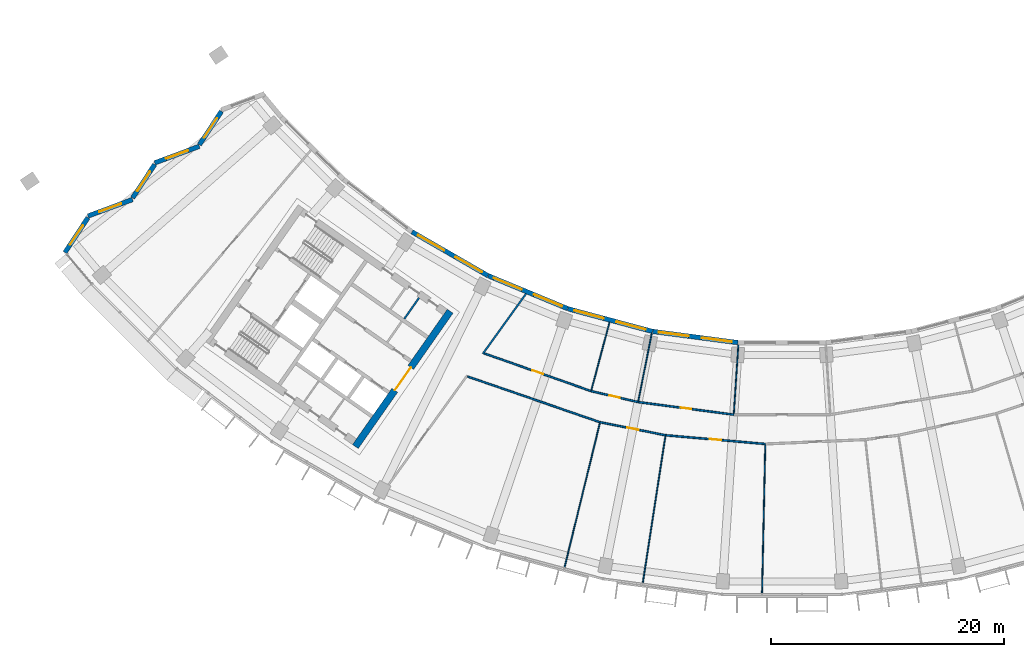
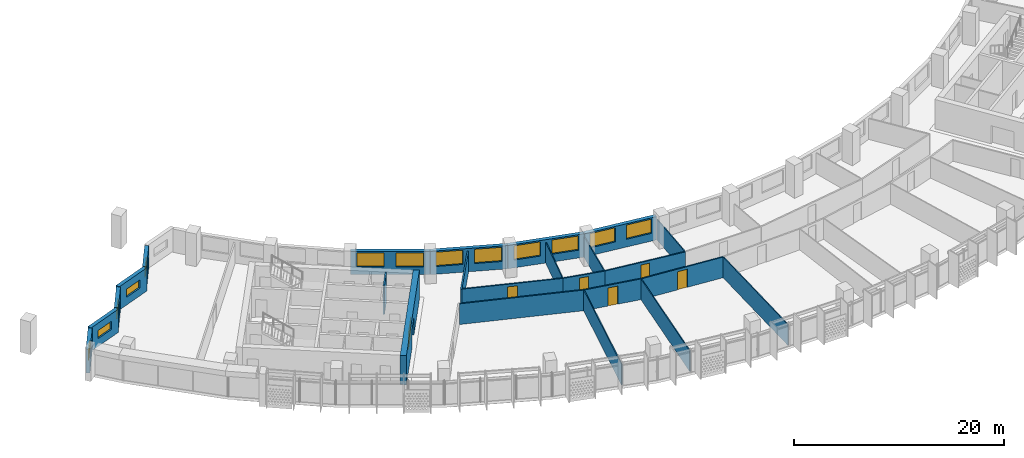
# One storey, part 4 of 27: 24 walls, 13 windows, 6 doors, 19 openings.
"""IFC4 building model written with IfcOpenShell, lengths in metres."""

from ifc_helpers import new_model, si_unit, direction, frame, frame_2d, origin, place, context, subcontext, project, spatial, rectangle, extrude, material, layer, layer_set, type_object, element, fill, save


model = new_model("IFC4")

# Units and contexts
model_context = context("Model", 3, precision=1e-05, world=origin(), true_north=direction((0.0, 1.0)))
body_context = subcontext(model_context, "Body", "Model", "MODEL_VIEW")
ifc_project = project(units=[si_unit("LENGTHUNIT", "METRE"), si_unit("AREAUNIT", "SQUARE_METRE"), si_unit("VOLUMEUNIT", "CUBIC_METRE"), si_unit("PLANEANGLEUNIT", "RADIAN"), si_unit("MASSUNIT", "GRAM", prefix="KILO")], contexts=[model_context])

# Site, building, storey
site_placement = place(None, origin())
site = spatial("IfcSite", under=ifc_project, at=site_placement, CompositionType="ELEMENT")
building_placement = place(site_placement, origin())
building = spatial("IfcBuilding", under=site, at=building_placement, Name="Qamariyya Broadcast Tower", CompositionType="ELEMENT")
storey_placement = place(building_placement, frame((0.0, 0.0, 194.89990234375)))
storey = spatial("IfcBuildingStorey", under=building, at=storey_placement, Name="L46", CompositionType="ELEMENT", Elevation=194.89990234375)

# Wall, opening, door
ifc_material_1 = material(Name="Concrete C60/75", Category="concrete")
ifc_layer_1 = layer(ifc_material_1, 0.60009765625)
ifc_layer_set_1 = layer_set([ifc_layer_1], Name="Core wall 600 mm Concrete C60/75")
wall_type_1 = type_object("IfcWallType", Name="Core wall 600 mm Concrete C60/75", PredefinedType="SHEAR", material=ifc_layer_set_1)
wall_1_placement = place(storey_placement, frame((-36.66748046875, -66.005126953125, 0.0), z_axis=(0.0, 0.0, 1.0), x_axis=(0.573568499524, 0.819157601658, 0.0)))
wall_1 = element("IfcWall", 1, at=wall_1_placement, inside=storey, type_object=wall_type_1, Name="k-W-L46-WA", PredefinedType="SHEAR", context=body_context, shape_type="SweptSolid", body=[
    extrude(rectangle(XDim=14.19970703125, YDim=0.60009765625, at=frame_2d((7.099853515625, 0.0))), origin(), (0.0, 0.0, 1.0), 3.400146484375),
])
opening_1_placement = place(wall_1_placement, frame((5.89990234375, 0.0, 0.0)))
opening_1 = element("IfcOpeningElement", 2, at=opening_1_placement, cuts=wall_1, Name="Opening KD3-W1", PredefinedType="OPENING", context=body_context, shape_type="SweptSolid", body=[
    extrude(rectangle(XDim=2.39990234375, YDim=2.10009765625, at=frame_2d((1.199951171875, 1.050048828125))), frame((0.0, 0.31005859375, 0.0), z_axis=(0.0, -1.0, 0.0), x_axis=(1.0, 0.0, 0.0)), (0.0, 0.0, 1.0), 0.6201171875),
])
ifc_material_2 = material(Name="Steel fire-resisting door leaf", Category="steel")
door_type_1 = type_object("IfcDoorType", Name="Lift lobby door KD3", OperationType="DOUBLE_DOOR_SINGLE_SWING", PredefinedType="DOOR", material=ifc_material_2)
door_1_placement = place(opening_1_placement, origin())
door_1 = element("IfcDoor", 3, at=door_1_placement, inside=storey, type_object=door_type_1, Name="k-W-L46-WA-D1", OperationType="DOUBLE_DOOR_SINGLE_SWING", OverallHeight=2.10009765625, OverallWidth=2.39990234375, PredefinedType="DOOR", context=body_context, shape_type="SweptSolid", body=[
    extrude(rectangle(XDim=2.39990234375, YDim=2.10009765625, at=frame_2d((1.199951171875, 1.050048828125))), frame((0.0, 0.02490234375, 0.0), z_axis=(0.0, -1.0, 0.0), x_axis=(1.0, 0.0, 0.0)), (0.0, 0.0, 1.0), 0.050048828125),
])
fill(opening_1, door_1)

# Wall
ifc_material_3 = material(Name="Gypsum board partition")
ifc_layer_2 = layer(ifc_material_3, 0.14990234375)
ifc_layer_set_2 = layer_set([ifc_layer_2], Name="Corridor partition 150 EI 60")
wall_type_2 = type_object("IfcWallType", Name="Corridor partition 150 EI 60", PredefinedType="PARTITIONING", material=ifc_layer_set_2)
wall_2_placement = place(storey_placement, frame((-27.02978515625, -59.984375, 0.0), z_axis=(0.0, 0.0, 1.0), x_axis=(0.945316775618, -0.32615363517, 0.0)))
element("IfcWall", 4, at=wall_2_placement, inside=storey, type_object=wall_type_2, Name="Partition L46-003", PredefinedType="PARTITIONING", context=body_context, shape_type="SweptSolid", body=[
    extrude(rectangle(XDim=12.05078125, YDim=0.14990234375, at=frame_2d((6.025390625, 0.0))), origin(), (0.0, 0.0, 1.0), 2.400146484375),
])

# Wall, opening, door
wall_3_placement = place(storey_placement, frame((-25.598388671875, -57.99609375, 0.0), z_axis=(0.0, 0.0, 1.0), x_axis=(0.942977382292, -0.332856810785, 0.0)))
wall_3 = element("IfcWall", 5, at=wall_3_placement, inside=storey, type_object=wall_type_2, Name="Partition L46-004", PredefinedType="PARTITIONING", context=body_context, shape_type="SweptSolid", body=[
    extrude(rectangle(XDim=9.744873046875, YDim=0.14990234375, at=frame_2d((4.87255859375, 0.0))), origin(), (0.0, 0.0, 1.0), 2.400146484375),
])
opening_2_placement = place(wall_3_placement, frame((4.37255859375, 0.0, 0.0)))
opening_2 = element("IfcOpeningElement", 6, at=opening_2_placement, cuts=wall_3, Name="Opening L46-D09", PredefinedType="OPENING", context=body_context, shape_type="SweptSolid", body=[
    extrude(rectangle(XDim=1.0, YDim=2.10009765625, at=frame_2d((0.5, 1.050048828125))), frame((0.0, 0.0849609375, 0.0), z_axis=(0.0, -1.0, 0.0), x_axis=(1.0, 0.0, 0.0)), (0.0, 0.0, 1.0), 0.169921875),
])
ifc_material_4 = material(Name="Timber fire door leaf", Category="wood")
door_type_2 = type_object("IfcDoorType", Name="Fire door 1000 x 2100 FD60", OperationType="NOTDEFINED", PredefinedType="DOOR", material=ifc_material_4)
door_2_placement = place(opening_2_placement, origin())
door_2 = element("IfcDoor", 7, at=door_2_placement, inside=storey, type_object=door_type_2, Name="Door L46-D09", OperationType="SINGLE_SWING_RIGHT", OverallHeight=2.10009765625, OverallWidth=1.0, PredefinedType="DOOR", context=body_context, shape_type="SweptSolid", body=[
    extrude(rectangle(XDim=1.0, YDim=2.10009765625, at=frame_2d((0.5, 1.050048828125))), frame((0.0, 0.02490234375, 0.0), z_axis=(0.0, -1.0, 0.0), x_axis=(1.0, 0.0, 0.0)), (0.0, 0.0, 1.0), 0.050048828125),
])
fill(opening_2, door_2)

# Wall
wall_4_placement = place(storey_placement, frame((-22.0, -52.873046875, 0.0), z_axis=(0.0, 0.0, 1.0), x_axis=(-0.58417014289, -0.811631224236, 0.0)))
element("IfcWall", 8, at=wall_4_placement, inside=storey, type_object=wall_type_2, Name="Partition L46-005", PredefinedType="PARTITIONING", context=body_context, shape_type="SweptSolid", body=[
    extrude(rectangle(XDim=6.356201171875, YDim=0.14990234375, at=frame_2d((3.17822265625, 0.0))), origin(), (0.0, 0.0, 1.0), 2.400146484375),
])

# Wall, opening, door
wall_5_placement = place(storey_placement, frame((-16.4091796875, -61.23974609375, 0.0), z_axis=(0.0, 0.0, 1.0), x_axis=(0.973875922187, -0.227080796599, 0.0)))
wall_5 = element("IfcWall", 9, at=wall_5_placement, inside=storey, type_object=wall_type_2, Name="Partition L46-007", PredefinedType="PARTITIONING", context=body_context, shape_type="SweptSolid", body=[
    extrude(rectangle(XDim=4.14892578125, YDim=0.14990234375, at=frame_2d((2.074462890625, 0.0))), origin(), (0.0, 0.0, 1.0), 2.400146484375),
])
opening_3_placement = place(wall_5_placement, frame((1.62451171875, 0.0, 0.0)))
opening_3 = element("IfcOpeningElement", 10, at=opening_3_placement, cuts=wall_5, Name="Opening L46-D10", PredefinedType="OPENING", context=body_context, shape_type="SweptSolid", body=[
    extrude(rectangle(XDim=0.89990234375, YDim=2.10009765625, at=frame_2d((0.449951171875, 1.050048828125))), frame((0.0, 0.0849609375, 0.0), z_axis=(0.0, -1.0, 0.0), x_axis=(1.0, 0.0, 0.0)), (0.0, 0.0, 1.0), 0.169921875),
])
door_type_3 = type_object("IfcDoorType", Name="Fire door 900 x 2100 FD60", OperationType="NOTDEFINED", PredefinedType="DOOR", material=ifc_material_4)
door_3_placement = place(opening_3_placement, origin())
door_3 = element("IfcDoor", 11, at=door_3_placement, inside=storey, type_object=door_type_3, Name="Door L46-D10", OperationType="SINGLE_SWING_RIGHT", OverallHeight=2.10009765625, OverallWidth=0.89990234375, PredefinedType="DOOR", context=body_context, shape_type="SweptSolid", body=[
    extrude(rectangle(XDim=0.89990234375, YDim=2.10009765625, at=frame_2d((0.449951171875, 1.050048828125))), frame((0.0, 0.02490234375, 0.0), z_axis=(0.0, -1.0, 0.0), x_axis=(1.0, 0.0, 0.0)), (0.0, 0.0, 1.0), 0.050048828125),
])
fill(opening_3, door_3)

wall_6_placement = place(storey_placement, frame((-10.011474609375, -65.033935546875, 0.0), z_axis=(0.0, 0.0, 1.0), x_axis=(-0.980786374969, 0.195084819182, 0.0)))
wall_6 = element("IfcWall", 12, at=wall_6_placement, inside=storey, type_object=wall_type_2, Name="Partition L46-008", PredefinedType="PARTITIONING", context=body_context, shape_type="SweptSolid", body=[
    extrude(rectangle(XDim=5.736572265625, YDim=0.14990234375, at=frame_2d((2.8681640625, 0.0))), origin(), (0.0, 0.0, 1.0), 2.400146484375),
])
opening_4_placement = place(wall_6_placement, frame((2.368408203125, 0.0, 0.0)))
opening_4 = element("IfcOpeningElement", 13, at=opening_4_placement, cuts=wall_6, Name="Opening L46-D02", PredefinedType="OPENING", context=body_context, shape_type="SweptSolid", body=[
    extrude(rectangle(XDim=1.0, YDim=2.10009765625, at=frame_2d((0.5, 1.050048828125))), frame((0.0, 0.0849609375, 0.0), z_axis=(0.0, -1.0, 0.0), x_axis=(1.0, 0.0, 0.0)), (0.0, 0.0, 1.0), 0.169921875),
])
door_4_placement = place(opening_4_placement, origin())
door_4 = element("IfcDoor", 14, at=door_4_placement, inside=storey, type_object=door_type_2, Name="Door L46-D02", OperationType="SINGLE_SWING_RIGHT", OverallHeight=2.10009765625, OverallWidth=1.0, PredefinedType="DOOR", context=body_context, shape_type="SweptSolid", body=[
    extrude(rectangle(XDim=1.0, YDim=2.10009765625, at=frame_2d((0.5, 1.050048828125))), frame((0.0, 0.02490234375, 0.0), z_axis=(0.0, -1.0, 0.0), x_axis=(1.0, 0.0, 0.0)), (0.0, 0.0, 1.0), 0.050048828125),
])
fill(opening_4, door_4)

wall_7_placement = place(storey_placement, frame((-12.36865234375, -62.181884765625, 0.0), z_axis=(0.0, 0.0, 1.0), x_axis=(0.991447881484, -0.130503250152, 0.0)))
wall_7 = element("IfcWall", 15, at=wall_7_placement, inside=storey, type_object=wall_type_2, Name="Partition L46-010", PredefinedType="PARTITIONING", context=body_context, shape_type="SweptSolid", body=[
    extrude(rectangle(XDim=8.293212890625, YDim=0.14990234375, at=frame_2d((4.146484375, 0.0))), origin(), (0.0, 0.0, 1.0), 2.400146484375),
])
opening_5_placement = place(wall_7_placement, frame((3.696533203125, 0.0, 0.0)))
opening_5 = element("IfcOpeningElement", 16, at=opening_5_placement, cuts=wall_7, Name="Opening L46-D11", PredefinedType="OPENING", context=body_context, shape_type="SweptSolid", body=[
    extrude(rectangle(XDim=0.89990234375, YDim=2.10009765625, at=frame_2d((0.449951171875, 1.050048828125))), frame((0.0, 0.0849609375, 0.0), z_axis=(0.0, -1.0, 0.0), x_axis=(1.0, 0.0, 0.0)), (0.0, 0.0, 1.0), 0.169921875),
])
door_5_placement = place(opening_5_placement, origin())
door_5 = element("IfcDoor", 17, at=door_5_placement, inside=storey, type_object=door_type_3, Name="Door L46-D11", OperationType="SINGLE_SWING_RIGHT", OverallHeight=2.10009765625, OverallWidth=0.89990234375, PredefinedType="DOOR", context=body_context, shape_type="SweptSolid", body=[
    extrude(rectangle(XDim=0.89990234375, YDim=2.10009765625, at=frame_2d((0.449951171875, 1.050048828125))), frame((0.0, 0.02490234375, 0.0), z_axis=(0.0, -1.0, 0.0), x_axis=(1.0, 0.0, 0.0)), (0.0, 0.0, 1.0), 0.050048828125),
])
fill(opening_5, door_5)

wall_8_placement = place(storey_placement, frame((-1.437255859375, -65.7841796875, 0.0), z_axis=(0.0, 0.0, 1.0), x_axis=(-0.996193717496, 0.087166950281, 0.0)))
wall_8 = element("IfcWall", 18, at=wall_8_placement, inside=storey, type_object=wall_type_2, Name="Partition L46-013", PredefinedType="PARTITIONING", context=body_context, shape_type="SweptSolid", body=[
    extrude(rectangle(XDim=8.60693359375, YDim=0.14990234375, at=frame_2d((4.303466796875, 0.0))), origin(), (0.0, 0.0, 1.0), 2.400146484375),
])
opening_6_placement = place(wall_8_placement, frame((3.803466796875, 0.0, 0.0)))
opening_6 = element("IfcOpeningElement", 19, at=opening_6_placement, cuts=wall_8, Name="Opening L46-D03", PredefinedType="OPENING", context=body_context, shape_type="SweptSolid", body=[
    extrude(rectangle(XDim=1.0, YDim=2.10009765625, at=frame_2d((0.5, 1.050048828125))), frame((0.0, 0.0849609375, 0.0), z_axis=(0.0, -1.0, 0.0), x_axis=(1.0, 0.0, 0.0)), (0.0, 0.0, 1.0), 0.169921875),
])
door_6_placement = place(opening_6_placement, origin())
door_6 = element("IfcDoor", 20, at=door_6_placement, inside=storey, type_object=door_type_2, Name="Door L46-D03", OperationType="SINGLE_SWING_RIGHT", OverallHeight=2.10009765625, OverallWidth=1.0, PredefinedType="DOOR", context=body_context, shape_type="SweptSolid", body=[
    extrude(rectangle(XDim=1.0, YDim=2.10009765625, at=frame_2d((0.5, 1.050048828125))), frame((0.0, 0.02490234375, 0.0), z_axis=(0.0, -1.0, 0.0), x_axis=(1.0, 0.0, 0.0)), (0.0, 0.0, 1.0), 0.050048828125),
])
fill(opening_6, door_6)

# Walls
ifc_material_5 = material(Name="Gypsum board partition on steel studs", Category="steel")
ifc_layer_3 = layer(ifc_material_5, 0.14990234375)
ifc_layer_set_3 = layer_set([ifc_layer_3], Name="Gypsum board partition 150 mm")
wall_type_3 = type_object("IfcWallType", Name="Gypsum board partition 150 mm", PredefinedType="PARTITIONING", material=ifc_layer_set_3)
wall_9_placement = place(storey_placement, frame((-32.46337890625, -55.0322265625, 0.0), z_axis=(0.0, 0.0, 1.0), x_axis=(0.573507030513, 0.819200638399, 0.0)))
element("IfcWall", 21, at=wall_9_placement, inside=storey, type_object=wall_type_3, Name="k-W-L46-NP255", PredefinedType="PARTITIONING", context=body_context, shape_type="SweptSolid", body=[
    extrude(rectangle(XDim=2.199951171875, YDim=0.14990234375, at=frame_2d((1.10009765625, 0.0))), origin(), (0.0, 0.0, 1.0), 3.400146484375),
])
ifc_layer_4 = layer(ifc_material_3, 0.10009765625)
ifc_layer_set_4 = layer_set([ifc_layer_4], Name="Partition 100")
wall_type_4 = type_object("IfcWallType", Name="Partition 100", PredefinedType="PARTITIONING", material=ifc_layer_set_4)
wall_10_placement = place(storey_placement, frame((-18.69189453125, -76.396240234375, 0.0), z_axis=(0.0, 0.0, 1.0), x_axis=(0.237667084027, 0.971346671982, 0.0)))
element("IfcWall", 22, at=wall_10_placement, inside=storey, type_object=wall_type_4, Name="Partition L46-006", PredefinedType="PARTITIONING", context=body_context, shape_type="SweptSolid", body=[
    extrude(rectangle(XDim=12.774658203125, YDim=0.10009765625, at=frame_2d((6.38720703125, 0.0))), origin(), (0.0, 0.0, 1.0), 2.400146484375),
])
wall_11_placement = place(storey_placement, frame((-14.82470703125, -55.326171875, 0.0), z_axis=(0.0, 0.0, 1.0), x_axis=(-0.258793263352, -0.965932734119, 0.0)))
element("IfcWall", 23, at=wall_11_placement, inside=storey, type_object=wall_type_4, Name="Partition L46-009", PredefinedType="PARTITIONING", context=body_context, shape_type="SweptSolid", body=[
    extrude(rectangle(XDim=6.047119140625, YDim=0.10009765625, at=frame_2d((3.0234375, 0.0))), origin(), (0.0, 0.0, 1.0), 2.400146484375),
])
wall_12_placement = place(storey_placement, frame((-11.966552734375, -77.73388671875, 0.0), z_axis=(0.0, 0.0, 1.0), x_axis=(0.152147660046, 0.988357774059, 0.0)))
element("IfcWall", 24, at=wall_12_placement, inside=storey, type_object=wall_type_4, Name="Partition L46-011", PredefinedType="PARTITIONING", context=body_context, shape_type="SweptSolid", body=[
    extrude(rectangle(XDim=12.7744140625, YDim=0.10009765625, at=frame_2d((6.38720703125, 0.0))), origin(), (0.0, 0.0, 1.0), 2.400146484375),
])
wall_13_placement = place(storey_placement, frame((-11.1982421875, -56.297119140625, 0.0), z_axis=(0.0, 0.0, 1.0), x_axis=(-0.195070020718, -0.980789318364, 0.0)))
element("IfcWall", 25, at=wall_13_placement, inside=storey, type_object=wall_type_4, Name="Partition L46-012", PredefinedType="PARTITIONING", context=body_context, shape_type="SweptSolid", body=[
    extrude(rectangle(XDim=5.9248046875, YDim=0.10009765625, at=frame_2d((2.96240234375, 0.0))), origin(), (0.0, 0.0, 1.0), 2.400146484375),
])
wall_14_placement = place(storey_placement, frame((-3.754150390625, -57.277099609375, 0.0), z_axis=(0.0, 0.0, 1.0), x_axis=(-0.065392214001, -0.997859638601, 0.0)))
element("IfcWall", 26, at=wall_14_placement, inside=storey, type_object=wall_type_4, Name="Partition L46-015", PredefinedType="PARTITIONING", context=body_context, shape_type="SweptSolid", body=[
    extrude(rectangle(XDim=5.925048828125, YDim=0.10009765625, at=frame_2d((2.96240234375, 0.0))), origin(), (0.0, 0.0, 1.0), 2.400146484375),
])
wall_15_placement = place(storey_placement, frame((-1.718017578125, -78.630859375, 0.0), z_axis=(0.0, 0.0, 1.0), x_axis=(0.021844457465, 0.99976138137, 0.0)))
element("IfcWall", 27, at=wall_15_placement, inside=storey, type_object=wall_type_4, Name="Partition L46-016", PredefinedType="PARTITIONING", context=body_context, shape_type="SweptSolid", body=[
    extrude(rectangle(XDim=12.7744140625, YDim=0.10009765625, at=frame_2d((6.38720703125, 0.0))), origin(), (0.0, 0.0, 1.0), 2.400146484375),
])

# Wall, opening, window
ifc_material_6 = material(Name="Terracotta", Category="masonry")
ifc_layer_5 = layer(ifc_material_6, 0.39990234375)
ifc_layer_set_5 = layer_set([ifc_layer_5], Name="Terracotta clad wall 400")
wall_type_5 = type_object("IfcWallType", Name="Terracotta clad wall 400", PredefinedType="SOLIDWALL", material=ifc_layer_set_5)
wall_16_placement = place(storey_placement, frame((-48.181640625, -37.19140625, 0.0), z_axis=(0.0, 0.0, 1.0), x_axis=(-0.550516877558, -0.834824033868, 0.0)))
wall_16 = element("IfcWall", 28, at=wall_16_placement, inside=storey, type_object=wall_type_5, Name="e-wl-L46-capW1", PredefinedType="SOLIDWALL", context=body_context, shape_type="SweptSolid", body=[
    extrude(rectangle(XDim=3.43994140625, YDim=0.39990234375, at=frame_2d((1.719970703125, 0.0))), origin(), (0.0, 0.0, 1.0), 2.7001953125),
])
opening_7_placement = place(wall_16_placement, frame((0.719970703125, 0.0, 0.89990234375)))
opening_7 = element("IfcOpeningElement", 29, at=opening_7_placement, cuts=wall_16, Name="Opening W4", PredefinedType="OPENING", context=body_context, shape_type="SweptSolid", body=[
    extrude(rectangle(XDim=2.0, YDim=0.949951171875, at=frame_2d((1.0, 0.47509765625))), frame((0.0, 0.2099609375, 0.0), z_axis=(0.0, -1.0, 0.0), x_axis=(1.0, 0.0, 0.0)), (0.0, 0.0, 1.0), 0.419921875),
])
ifc_material_7 = material(Name="Clear low-e double glazed unit in aluminium frame", Category="aluminium")
window_type_1 = type_object("IfcWindowType", Name="Horn bay window 2000 x 950", PartitioningType="SINGLE_PANEL", PredefinedType="WINDOW", material=ifc_material_7)
window_1_placement = place(opening_7_placement, origin())
window_1 = element("IfcWindow", 30, at=window_1_placement, inside=storey, type_object=window_type_1, Name="e-w-L46-capW1", OverallHeight=0.949951171875, OverallWidth=2.0, PartitioningType="SINGLE_PANEL", PredefinedType="WINDOW", context=body_context, shape_type="SweptSolid", body=[
    extrude(rectangle(XDim=2.0, YDim=0.949951171875, at=frame_2d((1.0, 0.47509765625))), frame((0.0, 0.030029296875, 0.0), z_axis=(0.0, -1.0, 0.0), x_axis=(1.0, 0.0, 0.0)), (0.0, 0.0, 1.0), 0.06005859375),
])
fill(opening_7, window_1)

wall_17_placement = place(storey_placement, frame((-50.0810546875, -40.20068359375, 0.0), z_axis=(0.0, 0.0, 1.0), x_axis=(-0.937497096946, -0.347993093636, 0.0)))
wall_17 = element("IfcWall", 31, at=wall_17_placement, inside=storey, type_object=wall_type_5, Name="e-wl-L46-capW2", PredefinedType="SOLIDWALL", context=body_context, shape_type="SweptSolid", body=[
    extrude(rectangle(XDim=4.088134765625, YDim=0.39990234375, at=frame_2d((2.0439453125, 0.0))), origin(), (0.0, 0.0, 1.0), 2.7001953125),
])
opening_8_placement = place(wall_17_placement, frame((1.0439453125, 0.0, 0.89990234375)))
opening_8 = element("IfcOpeningElement", 32, at=opening_8_placement, cuts=wall_17, Name="Opening W4", PredefinedType="OPENING", context=body_context, shape_type="SweptSolid", body=[
    extrude(rectangle(XDim=2.0, YDim=0.949951171875, at=frame_2d((1.0, 0.47509765625))), frame((0.0, 0.2099609375, 0.0), z_axis=(0.0, -1.0, 0.0), x_axis=(1.0, 0.0, 0.0)), (0.0, 0.0, 1.0), 0.419921875),
])
window_2_placement = place(opening_8_placement, origin())
window_2 = element("IfcWindow", 33, at=window_2_placement, inside=storey, type_object=window_type_1, Name="e-w-L46-capW2", OverallHeight=0.949951171875, OverallWidth=2.0, PartitioningType="SINGLE_PANEL", PredefinedType="WINDOW", context=body_context, shape_type="SweptSolid", body=[
    extrude(rectangle(XDim=2.0, YDim=0.949951171875, at=frame_2d((1.0, 0.47509765625))), frame((0.0, 0.030029296875, 0.0), z_axis=(0.0, -1.0, 0.0), x_axis=(1.0, 0.0, 0.0)), (0.0, 0.0, 1.0), 0.06005859375),
])
fill(opening_8, window_2)

wall_18_placement = place(storey_placement, frame((-53.919189453125, -41.7607421875, 0.0), z_axis=(0.0, 0.0, 1.0), x_axis=(-0.550399981963, -0.83490110783, 0.0)))
wall_18 = element("IfcWall", 34, at=wall_18_placement, inside=storey, type_object=wall_type_5, Name="e-wl-L46-capW3", PredefinedType="SOLIDWALL", context=body_context, shape_type="SweptSolid", body=[
    extrude(rectangle(XDim=3.4384765625, YDim=0.39990234375, at=frame_2d((1.71923828125, 0.0))), origin(), (0.0, 0.0, 1.0), 2.7001953125),
])
opening_9_placement = place(wall_18_placement, frame((0.71923828125, 0.0, 0.89990234375)))
opening_9 = element("IfcOpeningElement", 35, at=opening_9_placement, cuts=wall_18, Name="Opening W4", PredefinedType="OPENING", context=body_context, shape_type="SweptSolid", body=[
    extrude(rectangle(XDim=2.0, YDim=0.949951171875, at=frame_2d((1.0, 0.47509765625))), frame((0.0, 0.2099609375, 0.0), z_axis=(0.0, -1.0, 0.0), x_axis=(1.0, 0.0, 0.0)), (0.0, 0.0, 1.0), 0.419921875),
])
window_3_placement = place(opening_9_placement, origin())
window_3 = element("IfcWindow", 36, at=window_3_placement, inside=storey, type_object=window_type_1, Name="e-w-L46-capW3", OverallHeight=0.949951171875, OverallWidth=2.0, PartitioningType="SINGLE_PANEL", PredefinedType="WINDOW", context=body_context, shape_type="SweptSolid", body=[
    extrude(rectangle(XDim=2.0, YDim=0.949951171875, at=frame_2d((1.0, 0.47509765625))), frame((0.0, 0.030029296875, 0.0), z_axis=(0.0, -1.0, 0.0), x_axis=(1.0, 0.0, 0.0)), (0.0, 0.0, 1.0), 0.06005859375),
])
fill(opening_9, window_3)

wall_19_placement = place(storey_placement, frame((-55.8173828125, -44.76904296875, 0.0), z_axis=(0.0, 0.0, 1.0), x_axis=(-0.937467580195, -0.348072601741, 0.0)))
wall_19 = element("IfcWall", 37, at=wall_19_placement, inside=storey, type_object=wall_type_5, Name="e-wl-L46-capW4", PredefinedType="SOLIDWALL", context=body_context, shape_type="SweptSolid", body=[
    extrude(rectangle(XDim=4.089111328125, YDim=0.39990234375, at=frame_2d((2.04443359375, 0.0))), origin(), (0.0, 0.0, 1.0), 2.7001953125),
])
opening_10_placement = place(wall_19_placement, frame((1.04443359375, 0.0, 0.89990234375)))
opening_10 = element("IfcOpeningElement", 38, at=opening_10_placement, cuts=wall_19, Name="Opening W4", PredefinedType="OPENING", context=body_context, shape_type="SweptSolid", body=[
    extrude(rectangle(XDim=2.0, YDim=0.949951171875, at=frame_2d((1.0, 0.47509765625))), frame((0.0, 0.2099609375, 0.0), z_axis=(0.0, -1.0, 0.0), x_axis=(1.0, 0.0, 0.0)), (0.0, 0.0, 1.0), 0.419921875),
])
window_4_placement = place(opening_10_placement, origin())
window_4 = element("IfcWindow", 39, at=window_4_placement, inside=storey, type_object=window_type_1, Name="e-w-L46-capW4", OverallHeight=0.949951171875, OverallWidth=2.0, PartitioningType="SINGLE_PANEL", PredefinedType="WINDOW", context=body_context, shape_type="SweptSolid", body=[
    extrude(rectangle(XDim=2.0, YDim=0.949951171875, at=frame_2d((1.0, 0.47509765625))), frame((0.0, 0.030029296875, 0.0), z_axis=(0.0, -1.0, 0.0), x_axis=(1.0, 0.0, 0.0)), (0.0, 0.0, 1.0), 0.06005859375),
])
fill(opening_10, window_4)

wall_20_placement = place(storey_placement, frame((-59.656494140625, -46.329833984375, 0.0), z_axis=(0.0, 0.0, 1.0), x_axis=(-0.550310126748, -0.834960337021, 0.0)))
wall_20 = element("IfcWall", 40, at=wall_20_placement, inside=storey, type_object=wall_type_5, Name="e-wl-L46-capW5", PredefinedType="SOLIDWALL", context=body_context, shape_type="SweptSolid", body=[
    extrude(rectangle(XDim=3.5869140625, YDim=0.39990234375, at=frame_2d((1.79345703125, 0.0))), origin(), (0.0, 0.0, 1.0), 2.7001953125),
])
opening_11_placement = place(wall_20_placement, frame((0.79345703125, 0.0, 0.89990234375)))
opening_11 = element("IfcOpeningElement", 41, at=opening_11_placement, cuts=wall_20, Name="Opening W4", PredefinedType="OPENING", context=body_context, shape_type="SweptSolid", body=[
    extrude(rectangle(XDim=2.0, YDim=0.949951171875, at=frame_2d((1.0, 0.47509765625))), frame((0.0, 0.2099609375, 0.0), z_axis=(0.0, -1.0, 0.0), x_axis=(1.0, 0.0, 0.0)), (0.0, 0.0, 1.0), 0.419921875),
])
window_5_placement = place(opening_11_placement, origin())
window_5 = element("IfcWindow", 42, at=window_5_placement, inside=storey, type_object=window_type_1, Name="e-w-L46-capW5", OverallHeight=0.949951171875, OverallWidth=2.0, PartitioningType="SINGLE_PANEL", PredefinedType="WINDOW", context=body_context, shape_type="SweptSolid", body=[
    extrude(rectangle(XDim=2.0, YDim=0.949951171875, at=frame_2d((1.0, 0.47509765625))), frame((0.0, 0.030029296875, 0.0), z_axis=(0.0, -1.0, 0.0), x_axis=(1.0, 0.0, 0.0)), (0.0, 0.0, 1.0), 0.06005859375),
])
fill(opening_11, window_5)

# Wall, openings, windows
wall_21_placement = place(storey_placement, frame((-25.27734375, -51.31396484375, 0.0), z_axis=(0.0, 0.0, 1.0), x_axis=(-0.866028517328, 0.499994607145, 0.0)))
wall_21 = element("IfcWall", 43, at=wall_21_placement, inside=storey, type_object=wall_type_5, Name="e-wl-L46-in30", PredefinedType="SOLIDWALL", context=body_context, shape_type="SweptSolid", body=[
    extrude(rectangle(XDim=7.5322265625, YDim=0.39990234375, at=frame_2d((3.76611328125, 0.0))), origin(), (0.0, 0.0, 1.0), 2.7001953125),
])
opening_12_placement = place(wall_21_placement, frame((4.330078125, 0.0, 0.89990234375)))
opening_12 = element("IfcOpeningElement", 44, at=opening_12_placement, cuts=wall_21, Name="Opening W1", PredefinedType="OPENING", context=body_context, shape_type="SweptSolid", body=[
    extrude(rectangle(XDim=2.60009765625, YDim=1.64990234375, at=frame_2d((1.300048828125, 0.824951171875))), frame((0.0, 0.2099609375, 0.0), z_axis=(0.0, -1.0, 0.0), x_axis=(1.0, 0.0, 0.0)), (0.0, 0.0, 1.0), 0.419921875),
])
opening_13_placement = place(wall_21_placement, frame((0.60205078125, 0.0, 0.89990234375)))
opening_13 = element("IfcOpeningElement", 45, at=opening_13_placement, cuts=wall_21, Name="Opening W1", PredefinedType="OPENING", context=body_context, shape_type="SweptSolid", body=[
    extrude(rectangle(XDim=2.60009765625, YDim=1.64990234375, at=frame_2d((1.300048828125, 0.824951171875))), frame((0.0, 0.2099609375, 0.0), z_axis=(0.0, -1.0, 0.0), x_axis=(1.0, 0.0, 0.0)), (0.0, 0.0, 1.0), 0.419921875),
])
window_type_2 = type_object("IfcWindowType", Name="Ribbon window 2600 x 1650", PartitioningType="SINGLE_PANEL", PredefinedType="WINDOW", material=ifc_material_7)
window_6_placement = place(opening_12_placement, origin())
window_6 = element("IfcWindow", 46, at=window_6_placement, inside=storey, type_object=window_type_2, Name="e-w-L46-in03-0", OverallHeight=1.64990234375, OverallWidth=2.60009765625, PartitioningType="SINGLE_PANEL", PredefinedType="WINDOW", context=body_context, shape_type="SweptSolid", body=[
    extrude(rectangle(XDim=2.60009765625, YDim=1.64990234375, at=frame_2d((1.300048828125, 0.824951171875))), frame((0.0, 0.030029296875, 0.0), z_axis=(0.0, -1.0, 0.0), x_axis=(1.0, 0.0, 0.0)), (0.0, 0.0, 1.0), 0.06005859375),
])
fill(opening_12, window_6)
window_7_placement = place(opening_13_placement, origin())
window_7 = element("IfcWindow", 47, at=window_7_placement, inside=storey, type_object=window_type_2, Name="e-w-L46-in03-1", OverallHeight=1.64990234375, OverallWidth=2.60009765625, PartitioningType="SINGLE_PANEL", PredefinedType="WINDOW", context=body_context, shape_type="SweptSolid", body=[
    extrude(rectangle(XDim=2.60009765625, YDim=1.64990234375, at=frame_2d((1.300048828125, 0.824951171875))), frame((0.0, 0.030029296875, 0.0), z_axis=(0.0, -1.0, 0.0), x_axis=(1.0, 0.0, 0.0)), (0.0, 0.0, 1.0), 0.06005859375),
])
fill(opening_13, window_7)

wall_22_placement = place(storey_placement, frame((-18.433349609375, -54.1455078125, 0.0), z_axis=(0.0, 0.0, 1.0), x_axis=(-0.923867659443, 0.382712095229, 0.0)))
wall_22 = element("IfcWall", 48, at=wall_22_placement, inside=storey, type_object=wall_type_5, Name="e-wl-L46-in40", PredefinedType="SOLIDWALL", context=body_context, shape_type="SweptSolid", body=[
    extrude(rectangle(XDim=7.380859375, YDim=0.39990234375, at=frame_2d((3.6904296875, 0.0))), origin(), (0.0, 0.0, 1.0), 2.7001953125),
])
opening_14_placement = place(wall_22_placement, frame((4.25439453125, 0.0, 0.89990234375)))
opening_14 = element("IfcOpeningElement", 49, at=opening_14_placement, cuts=wall_22, Name="Opening W1", PredefinedType="OPENING", context=body_context, shape_type="SweptSolid", body=[
    extrude(rectangle(XDim=2.60009765625, YDim=1.64990234375, at=frame_2d((1.300048828125, 0.824951171875))), frame((0.0, 0.2099609375, 0.0), z_axis=(0.0, -1.0, 0.0), x_axis=(1.0, 0.0, 0.0)), (0.0, 0.0, 1.0), 0.419921875),
])
opening_15_placement = place(wall_22_placement, frame((0.5263671875, 0.0, 0.89990234375)))
opening_15 = element("IfcOpeningElement", 50, at=opening_15_placement, cuts=wall_22, Name="Opening W1", PredefinedType="OPENING", context=body_context, shape_type="SweptSolid", body=[
    extrude(rectangle(XDim=2.60009765625, YDim=1.64990234375, at=frame_2d((1.300048828125, 0.824951171875))), frame((0.0, 0.2099609375, 0.0), z_axis=(0.0, -1.0, 0.0), x_axis=(1.0, 0.0, 0.0)), (0.0, 0.0, 1.0), 0.419921875),
])
window_8_placement = place(opening_14_placement, origin())
window_8 = element("IfcWindow", 51, at=window_8_placement, inside=storey, type_object=window_type_2, Name="e-w-L46-in04-0", OverallHeight=1.64990234375, OverallWidth=2.60009765625, PartitioningType="SINGLE_PANEL", PredefinedType="WINDOW", context=body_context, shape_type="SweptSolid", body=[
    extrude(rectangle(XDim=2.60009765625, YDim=1.64990234375, at=frame_2d((1.300048828125, 0.824951171875))), frame((0.0, 0.030029296875, 0.0), z_axis=(0.0, -1.0, 0.0), x_axis=(1.0, 0.0, 0.0)), (0.0, 0.0, 1.0), 0.06005859375),
])
fill(opening_14, window_8)
window_9_placement = place(opening_15_placement, origin())
window_9 = element("IfcWindow", 52, at=window_9_placement, inside=storey, type_object=window_type_2, Name="e-w-L46-in04-1", OverallHeight=1.64990234375, OverallWidth=2.60009765625, PartitioningType="SINGLE_PANEL", PredefinedType="WINDOW", context=body_context, shape_type="SweptSolid", body=[
    extrude(rectangle(XDim=2.60009765625, YDim=1.64990234375, at=frame_2d((1.300048828125, 0.824951171875))), frame((0.0, 0.030029296875, 0.0), z_axis=(0.0, -1.0, 0.0), x_axis=(1.0, 0.0, 0.0)), (0.0, 0.0, 1.0), 0.06005859375),
])
fill(opening_15, window_9)

wall_23_placement = place(storey_placement, frame((-11.135009765625, -56.10791015625, 0.0), z_axis=(0.0, 0.0, 1.0), x_axis=(-0.965927073219, 0.258814391452, 0.0)))
wall_23 = element("IfcWall", 53, at=wall_23_placement, inside=storey, type_object=wall_type_5, Name="e-wl-L46-in50", PredefinedType="SOLIDWALL", context=body_context, shape_type="SweptSolid", body=[
    extrude(rectangle(XDim=7.5322265625, YDim=0.39990234375, at=frame_2d((3.76611328125, 0.0))), origin(), (0.0, 0.0, 1.0), 2.7001953125),
])
opening_16_placement = place(wall_23_placement, frame((4.330078125, 0.0, 0.89990234375)))
opening_16 = element("IfcOpeningElement", 54, at=opening_16_placement, cuts=wall_23, Name="Opening W1", PredefinedType="OPENING", context=body_context, shape_type="SweptSolid", body=[
    extrude(rectangle(XDim=2.60009765625, YDim=1.64990234375, at=frame_2d((1.300048828125, 0.824951171875))), frame((0.0, 0.2099609375, 0.0), z_axis=(0.0, -1.0, 0.0), x_axis=(1.0, 0.0, 0.0)), (0.0, 0.0, 1.0), 0.419921875),
])
opening_17_placement = place(wall_23_placement, frame((0.60205078125, 0.0, 0.89990234375)))
opening_17 = element("IfcOpeningElement", 55, at=opening_17_placement, cuts=wall_23, Name="Opening W1", PredefinedType="OPENING", context=body_context, shape_type="SweptSolid", body=[
    extrude(rectangle(XDim=2.60009765625, YDim=1.64990234375, at=frame_2d((1.300048828125, 0.824951171875))), frame((0.0, 0.2099609375, 0.0), z_axis=(0.0, -1.0, 0.0), x_axis=(1.0, 0.0, 0.0)), (0.0, 0.0, 1.0), 0.419921875),
])
window_10_placement = place(opening_16_placement, origin())
window_10 = element("IfcWindow", 56, at=window_10_placement, inside=storey, type_object=window_type_2, Name="e-w-L46-in05-0", OverallHeight=1.64990234375, OverallWidth=2.60009765625, PartitioningType="SINGLE_PANEL", PredefinedType="WINDOW", context=body_context, shape_type="SweptSolid", body=[
    extrude(rectangle(XDim=2.60009765625, YDim=1.64990234375, at=frame_2d((1.300048828125, 0.824951171875))), frame((0.0, 0.030029296875, 0.0), z_axis=(0.0, -1.0, 0.0), x_axis=(1.0, 0.0, 0.0)), (0.0, 0.0, 1.0), 0.06005859375),
])
fill(opening_16, window_10)
window_11_placement = place(opening_17_placement, origin())
window_11 = element("IfcWindow", 57, at=window_11_placement, inside=storey, type_object=window_type_2, Name="e-w-L46-in05-1", OverallHeight=1.64990234375, OverallWidth=2.60009765625, PartitioningType="SINGLE_PANEL", PredefinedType="WINDOW", context=body_context, shape_type="SweptSolid", body=[
    extrude(rectangle(XDim=2.60009765625, YDim=1.64990234375, at=frame_2d((1.300048828125, 0.824951171875))), frame((0.0, 0.030029296875, 0.0), z_axis=(0.0, -1.0, 0.0), x_axis=(1.0, 0.0, 0.0)), (0.0, 0.0, 1.0), 0.06005859375),
])
fill(opening_17, window_11)

wall_24_placement = place(storey_placement, frame((-3.79150390625, -57.0712890625, 0.0), z_axis=(0.0, 0.0, 1.0), x_axis=(-0.99144438474, 0.130529812564, 0.0)))
wall_24 = element("IfcWall", 58, at=wall_24_placement, inside=storey, type_object=wall_type_5, Name="e-wl-L46-in60", PredefinedType="SOLIDWALL", context=body_context, shape_type="SweptSolid", body=[
    extrude(rectangle(XDim=7.380615234375, YDim=0.39990234375, at=frame_2d((3.6904296875, 0.0))), origin(), (0.0, 0.0, 1.0), 2.7001953125),
])
opening_18_placement = place(wall_24_placement, frame((4.25439453125, 0.0, 0.89990234375)))
opening_18 = element("IfcOpeningElement", 59, at=opening_18_placement, cuts=wall_24, Name="Opening W1", PredefinedType="OPENING", context=body_context, shape_type="SweptSolid", body=[
    extrude(rectangle(XDim=2.60009765625, YDim=1.64990234375, at=frame_2d((1.300048828125, 0.824951171875))), frame((0.0, 0.2099609375, 0.0), z_axis=(0.0, -1.0, 0.0), x_axis=(1.0, 0.0, 0.0)), (0.0, 0.0, 1.0), 0.419921875),
])
opening_19_placement = place(wall_24_placement, frame((0.5263671875, 0.0, 0.89990234375)))
opening_19 = element("IfcOpeningElement", 60, at=opening_19_placement, cuts=wall_24, Name="Opening W1", PredefinedType="OPENING", context=body_context, shape_type="SweptSolid", body=[
    extrude(rectangle(XDim=2.60009765625, YDim=1.64990234375, at=frame_2d((1.300048828125, 0.824951171875))), frame((0.0, 0.2099609375, 0.0), z_axis=(0.0, -1.0, 0.0), x_axis=(1.0, 0.0, 0.0)), (0.0, 0.0, 1.0), 0.419921875),
])
window_12_placement = place(opening_18_placement, origin())
window_12 = element("IfcWindow", 61, at=window_12_placement, inside=storey, type_object=window_type_2, Name="e-w-L46-in06-0", OverallHeight=1.64990234375, OverallWidth=2.60009765625, PartitioningType="SINGLE_PANEL", PredefinedType="WINDOW", context=body_context, shape_type="SweptSolid", body=[
    extrude(rectangle(XDim=2.60009765625, YDim=1.64990234375, at=frame_2d((1.300048828125, 0.824951171875))), frame((0.0, 0.030029296875, 0.0), z_axis=(0.0, -1.0, 0.0), x_axis=(1.0, 0.0, 0.0)), (0.0, 0.0, 1.0), 0.06005859375),
])
fill(opening_18, window_12)
window_13_placement = place(opening_19_placement, origin())
window_13 = element("IfcWindow", 62, at=window_13_placement, inside=storey, type_object=window_type_2, Name="e-w-L46-in06-1", OverallHeight=1.64990234375, OverallWidth=2.60009765625, PartitioningType="SINGLE_PANEL", PredefinedType="WINDOW", context=body_context, shape_type="SweptSolid", body=[
    extrude(rectangle(XDim=2.60009765625, YDim=1.64990234375, at=frame_2d((1.300048828125, 0.824951171875))), frame((0.0, 0.030029296875, 0.0), z_axis=(0.0, -1.0, 0.0), x_axis=(1.0, 0.0, 0.0)), (0.0, 0.0, 1.0), 0.06005859375),
])
fill(opening_19, window_13)

save(model, "model.ifc")
